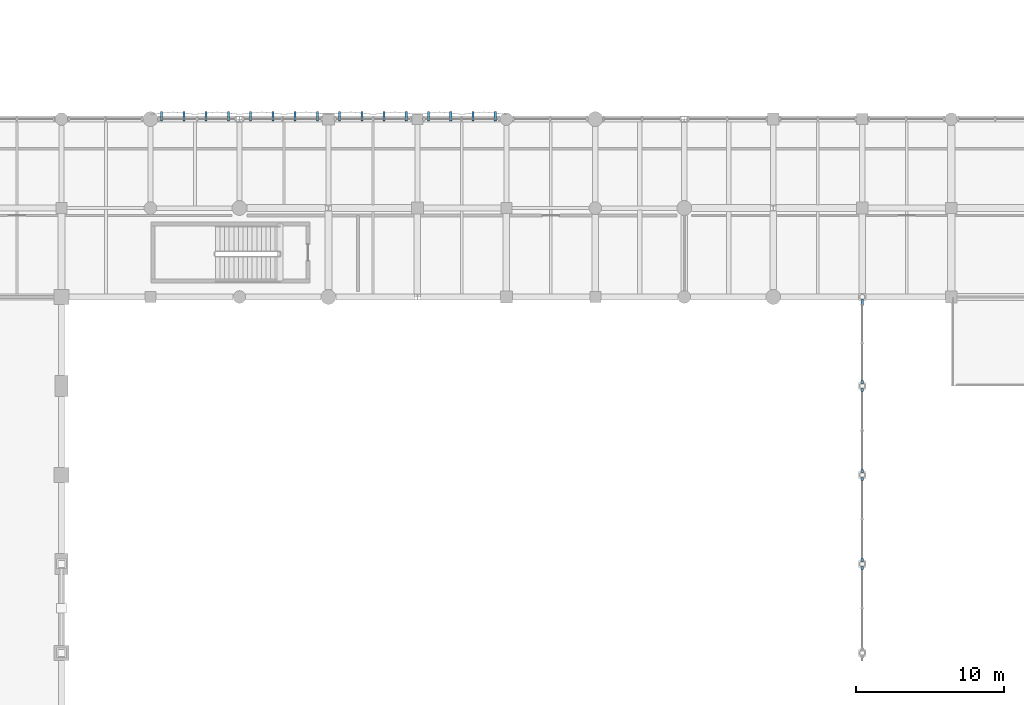
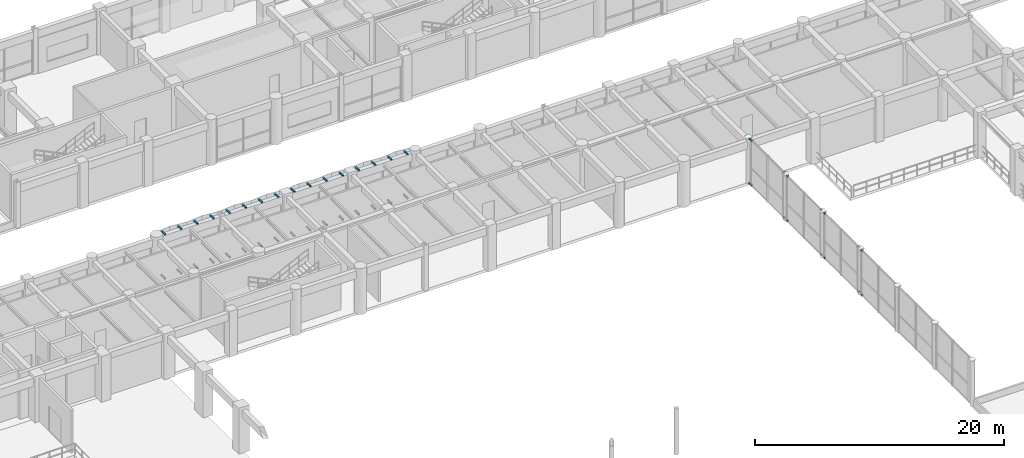
# One storey, part 118 of 133: 46 discrete accessories.
"""IFC4 building model written with IfcOpenShell, lengths in metres."""

from ifc_helpers import new_model, si_unit, direction, frame, origin, origin_2d, place, context, subcontext, project, spatial, rectangle, extrude, material, type_object, element, save


model = new_model("IFC4")

# Units and contexts
model_context = context("Model", 3, precision=1e-05, world=origin(), true_north=direction((0.0, 1.0)))
body_context = subcontext(model_context, "Body", "Model", "MODEL_VIEW")
ifc_project = project(units=[si_unit("LENGTHUNIT", "METRE"), si_unit("AREAUNIT", "SQUARE_METRE"), si_unit("VOLUMEUNIT", "CUBIC_METRE"), si_unit("PLANEANGLEUNIT", "RADIAN"), si_unit("MASSUNIT", "GRAM", prefix="KILO"), si_unit("THERMODYNAMICTEMPERATUREUNIT", "KELVIN"), si_unit("POWERUNIT", "WATT")], contexts=[model_context])

# Site, building, storey
site_placement = place(None, origin())
site = spatial("IfcSite", under=ifc_project, at=site_placement, CompositionType="ELEMENT")
building_placement = place(site_placement, origin())
building = spatial("IfcBuilding", under=site, at=building_placement, Name="Phaisarnlok Congress Hotel", CompositionType="ELEMENT")
storey_placement = place(building_placement, frame((0.0, 0.0, 6.0)))
storey = spatial("IfcBuildingStorey", under=building, at=storey_placement, Name="L01", CompositionType="ELEMENT", Elevation=6.0)

# Discrete accessories
ifc_material = material(Name="Steel S355", Category="steel")
discrete_accessory_type = type_object("IfcDiscreteAccessoryType", Name="ACC-BRK-STL", PredefinedType="BRACKET", material=ifc_material)
for number, where, z_axis, x_axis, name in (
    (1, (120.0, 65.75, -0.009765625), (0.0, 0.0, 1.0), (1.0, 0.0, 0.0), "Curtain wall steel jamb spider bracket BK-01"),
    (2, (120.0, 65.75, 4.35986328125), (0.0, 0.0, 1.0), (1.0, 0.0, 0.0), "Curtain wall steel jamb spider bracket BK-01"),
    (3, (120.0, 66.25, -0.009765625), (0.0, 0.0, 1.0), (1.0, 0.0, 0.0), "Curtain wall steel jamb spider bracket BK-01"),
    (4, (120.0, 66.25, 4.35986328125), (0.0, 0.0, 1.0), (1.0, 0.0, 0.0), "Curtain wall steel jamb spider bracket BK-01"),
    (5, (120.0, 71.75, -0.009765625), (0.0, 0.0, 1.0), (1.0, 0.0, 0.0), "Curtain wall steel jamb spider bracket BK-01"),
    (6, (120.0, 71.75, 4.35986328125), (0.0, 0.0, 1.0), (1.0, 0.0, 0.0), "Curtain wall steel jamb spider bracket BK-01"),
    (7, (120.0, 72.25, -0.009765625), (0.0, 0.0, 1.0), (1.0, 0.0, 0.0), "Curtain wall steel jamb spider bracket BK-01"),
    (8, (120.0, 72.25, 4.35986328125), (0.0, 0.0, 1.0), (1.0, 0.0, 0.0), "Curtain wall steel jamb spider bracket BK-01"),
    (9, (120.0, 77.75, -0.009765625), (0.0, 0.0, 1.0), (1.0, 0.0, 0.0), "Curtain wall steel jamb spider bracket BK-01"),
    (10, (120.0, 77.75, 4.35986328125), (0.0, 0.0, 1.0), (1.0, 0.0, 0.0), "Curtain wall steel jamb spider bracket BK-01"),
    (11, (120.0, 78.25, -0.009765625), (0.0, 0.0, 1.0), (1.0, 0.0, 0.0), "Curtain wall steel jamb spider bracket BK-01"),
    (12, (120.0, 78.25, 4.35986328125), (0.0, 0.0, 1.0), (1.0, 0.0, 0.0), "Curtain wall steel jamb spider bracket BK-01"),
):
    element("IfcDiscreteAccessory", number, at=place(storey_placement, frame(where, z_axis=z_axis, x_axis=x_axis)), inside=storey, type_object=discrete_accessory_type, Name=name, PredefinedType="BRACKET", context=body_context, shape_type="SweptSolid", body=[
        extrude(rectangle(XDim=0.159912109375, YDim=0.219970703125, at=origin_2d()), origin(), (0.0, 0.0, 1.0), 0.139892578125),
    ])
for number, where, z_axis, x_axis, name in (
    (13, (120.0, 83.639892578125, -0.009765625), (0.0, 0.0, 1.0), (1.0, 0.0, 0.0), "Curtain wall steel jamb spider bracket BK-01"),
    (14, (120.0, 83.639892578125, 4.35986328125), (0.0, 0.0, 1.0), (1.0, 0.0, 0.0), "Curtain wall steel jamb spider bracket BK-01"),
):
    element("IfcDiscreteAccessory", number, at=place(storey_placement, frame(where, z_axis=z_axis, x_axis=x_axis)), inside=storey, type_object=discrete_accessory_type, Name=name, PredefinedType="BRACKET", context=body_context, shape_type="SweptSolid", body=[
        extrude(rectangle(XDim=0.159912109375, YDim=0.43994140625, at=origin_2d()), origin(), (0.0, 0.0, 1.0), 0.139892578125),
    ])
for number, where, z_axis, x_axis, name in (
    (15, (72.75, 96.183837890625, -0.18017578125), (0.0, 0.0, 1.0), (1.0, 0.0, 0.0), "Solar screen steel outrigger bracket BK-01"),
    (16, (72.75, 96.183837890625, 4.1201171875), (0.0, 0.0, 1.0), (1.0, 0.0, 0.0), "Solar screen steel outrigger bracket BK-01"),
    (17, (74.25, 96.183837890625, -0.18017578125), (0.0, 0.0, 1.0), (1.0, 0.0, 0.0), "Solar screen steel outrigger bracket BK-01"),
    (18, (74.25, 96.183837890625, 4.1201171875), (0.0, 0.0, 1.0), (1.0, 0.0, 0.0), "Solar screen steel outrigger bracket BK-01"),
    (19, (75.75, 96.183837890625, -0.18017578125), (0.0, 0.0, 1.0), (1.0, 0.0, 0.0), "Solar screen steel outrigger bracket BK-01"),
    (20, (75.75, 96.183837890625, 4.1201171875), (0.0, 0.0, 1.0), (1.0, 0.0, 0.0), "Solar screen steel outrigger bracket BK-01"),
    (21, (77.25, 96.183837890625, -0.18017578125), (0.0, 0.0, 1.0), (1.0, 0.0, 0.0), "Solar screen steel outrigger bracket BK-01"),
    (22, (77.25, 96.183837890625, 4.1201171875), (0.0, 0.0, 1.0), (1.0, 0.0, 0.0), "Solar screen steel outrigger bracket BK-01"),
    (23, (78.75, 96.183837890625, -0.18017578125), (0.0, 0.0, 1.0), (1.0, 0.0, 0.0), "Solar screen steel outrigger bracket BK-01"),
    (24, (78.75, 96.183837890625, 4.1201171875), (0.0, 0.0, 1.0), (1.0, 0.0, 0.0), "Solar screen steel outrigger bracket BK-01"),
    (25, (80.25, 96.183837890625, -0.18017578125), (0.0, 0.0, 1.0), (1.0, 0.0, 0.0), "Solar screen steel outrigger bracket BK-01"),
    (26, (80.25, 96.183837890625, 4.1201171875), (0.0, 0.0, 1.0), (1.0, 0.0, 0.0), "Solar screen steel outrigger bracket BK-01"),
    (27, (81.75, 96.183837890625, -0.18017578125), (0.0, 0.0, 1.0), (1.0, 0.0, 0.0), "Solar screen steel outrigger bracket BK-01"),
    (28, (81.75, 96.183837890625, 4.1201171875), (0.0, 0.0, 1.0), (1.0, 0.0, 0.0), "Solar screen steel outrigger bracket BK-01"),
    (29, (83.25, 96.183837890625, -0.18017578125), (0.0, 0.0, 1.0), (1.0, 0.0, 0.0), "Solar screen steel outrigger bracket BK-01"),
    (30, (83.25, 96.183837890625, 4.1201171875), (0.0, 0.0, 1.0), (1.0, 0.0, 0.0), "Solar screen steel outrigger bracket BK-01"),
    (31, (84.75, 96.183837890625, -0.18017578125), (0.0, 0.0, 1.0), (1.0, 0.0, 0.0), "Solar screen steel outrigger bracket BK-01"),
    (32, (84.75, 96.183837890625, 4.1201171875), (0.0, 0.0, 1.0), (1.0, 0.0, 0.0), "Solar screen steel outrigger bracket BK-01"),
    (33, (86.25, 96.183837890625, -0.18017578125), (0.0, 0.0, 1.0), (1.0, 0.0, 0.0), "Solar screen steel outrigger bracket BK-01"),
    (34, (86.25, 96.183837890625, 4.1201171875), (0.0, 0.0, 1.0), (1.0, 0.0, 0.0), "Solar screen steel outrigger bracket BK-01"),
    (35, (87.75, 96.183837890625, -0.18017578125), (0.0, 0.0, 1.0), (1.0, 0.0, 0.0), "Solar screen steel outrigger bracket BK-01"),
    (36, (87.75, 96.183837890625, 4.1201171875), (0.0, 0.0, 1.0), (1.0, 0.0, 0.0), "Solar screen steel outrigger bracket BK-01"),
    (37, (89.25, 96.183837890625, -0.18017578125), (0.0, 0.0, 1.0), (1.0, 0.0, 0.0), "Solar screen steel outrigger bracket BK-01"),
    (38, (89.25, 96.183837890625, 4.1201171875), (0.0, 0.0, 1.0), (1.0, 0.0, 0.0), "Solar screen steel outrigger bracket BK-01"),
    (39, (90.75, 96.183837890625, -0.18017578125), (0.0, 0.0, 1.0), (1.0, 0.0, 0.0), "Solar screen steel outrigger bracket BK-01"),
    (40, (90.75, 96.183837890625, 4.1201171875), (0.0, 0.0, 1.0), (1.0, 0.0, 0.0), "Solar screen steel outrigger bracket BK-01"),
    (41, (92.25, 96.183837890625, -0.18017578125), (0.0, 0.0, 1.0), (1.0, 0.0, 0.0), "Solar screen steel outrigger bracket BK-01"),
    (42, (92.25, 96.183837890625, 4.1201171875), (0.0, 0.0, 1.0), (1.0, 0.0, 0.0), "Solar screen steel outrigger bracket BK-01"),
    (43, (93.75, 96.183837890625, -0.18017578125), (0.0, 0.0, 1.0), (1.0, 0.0, 0.0), "Solar screen steel outrigger bracket BK-01"),
    (44, (93.75, 96.183837890625, 4.1201171875), (0.0, 0.0, 1.0), (1.0, 0.0, 0.0), "Solar screen steel outrigger bracket BK-01"),
    (45, (95.25, 96.183837890625, -0.18017578125), (0.0, 0.0, 1.0), (1.0, 0.0, 0.0), "Solar screen steel outrigger bracket BK-01"),
    (46, (95.25, 96.183837890625, 4.1201171875), (0.0, 0.0, 1.0), (1.0, 0.0, 0.0), "Solar screen steel outrigger bracket BK-01"),
):
    element("IfcDiscreteAccessory", number, at=place(storey_placement, frame(where, z_axis=z_axis, x_axis=x_axis)), inside=storey, type_object=discrete_accessory_type, Name=name, PredefinedType="BRACKET", context=body_context, shape_type="SweptSolid", body=[
        extrude(rectangle(XDim=0.139892578125, YDim=0.647705078125, at=origin_2d()), origin(), (0.0, 0.0, 1.0), 0.159912109375),
    ])

save(model, "model.ifc")
